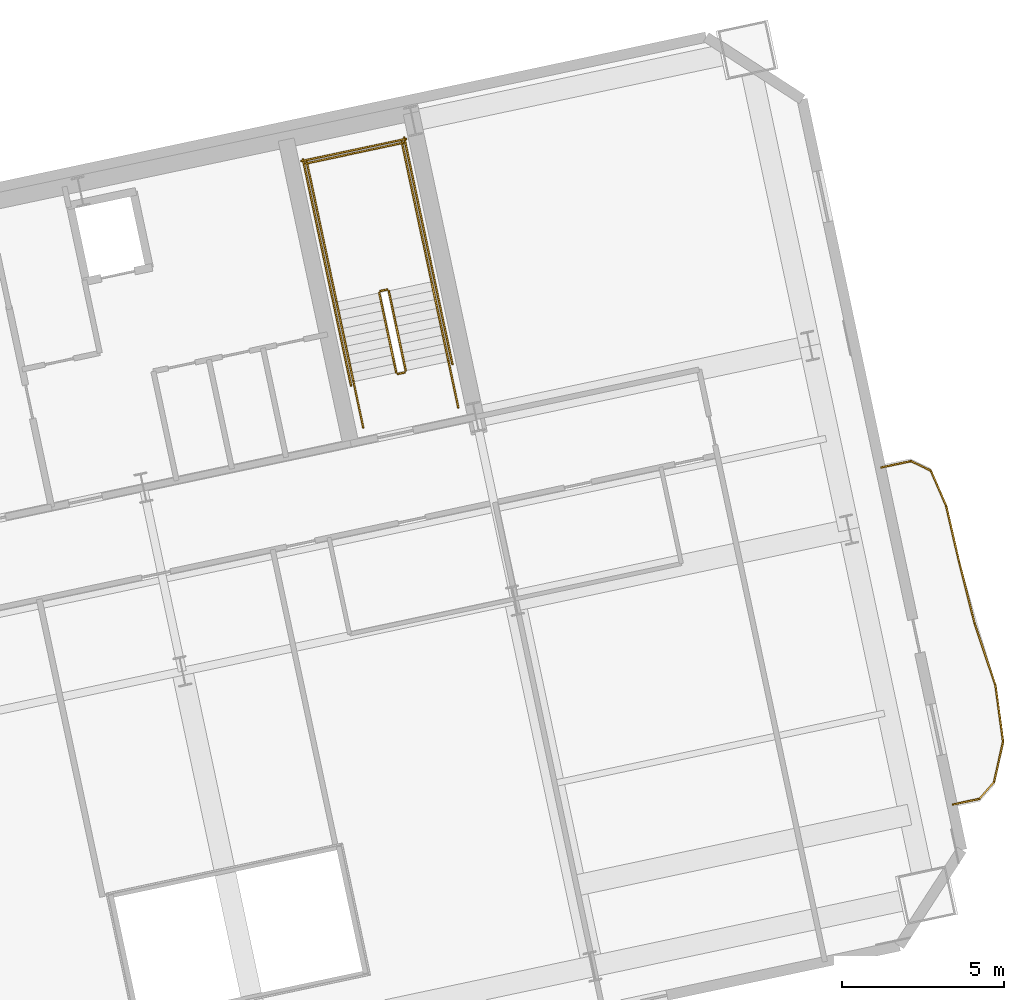
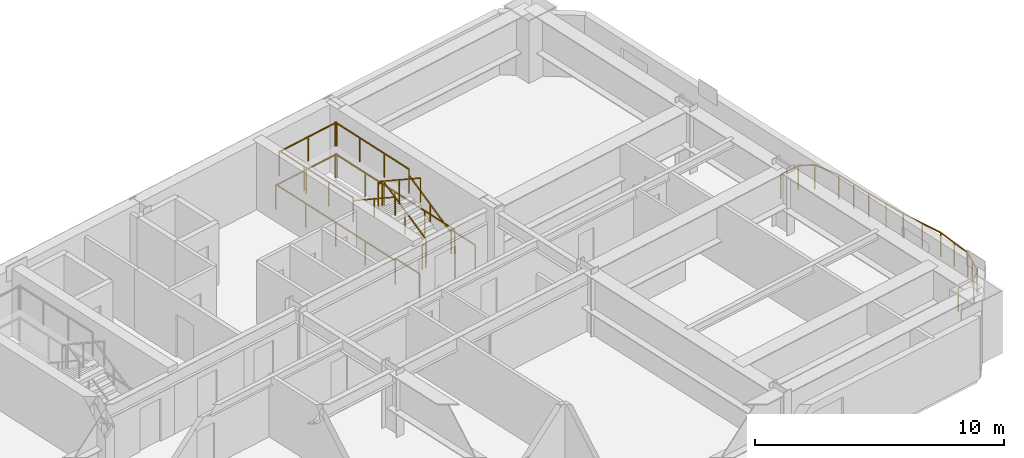
# One storey, part 16 of 16: 24 railings.
"""IFC4 building model written with IfcOpenShell, lengths in metres."""

from ifc_helpers import new_model, si_unit, direction, frame, origin, origin_2d, place, context, subcontext, project, spatial, rectangle, extrude, material, type_object, element, save


model = new_model("IFC4")

# Units and contexts
model_context = context("Model", 3, precision=1e-05, world=origin(), true_north=direction((0.0, 1.0)))
body_context = subcontext(model_context, "Body", "Model", "MODEL_VIEW")
ifc_project = project(units=[si_unit("LENGTHUNIT", "METRE"), si_unit("AREAUNIT", "SQUARE_METRE"), si_unit("VOLUMEUNIT", "CUBIC_METRE"), si_unit("PLANEANGLEUNIT", "RADIAN"), si_unit("MASSUNIT", "GRAM", prefix="KILO")], contexts=[model_context])

# Site, building, storey
site_placement = place(None, origin())
site = spatial("IfcSite", under=ifc_project, at=site_placement, CompositionType="ELEMENT")
building_placement = place(site_placement, origin())
building = spatial("IfcBuilding", under=site, at=building_placement, Name="Haevon Station Towers", CompositionType="ELEMENT")
storey_placement = place(building_placement, frame((0.0, 0.0, 90.0)))
storey = spatial("IfcBuildingStorey", under=building, at=storey_placement, Name="L23", CompositionType="ELEMENT", Elevation=90.0)

# Railings
ifc_material = material(Name="Steel S355", Category="steel")
railing_type_1 = type_object("IfcRailingType", Name="GRD-EXT1200", PredefinedType="GUARDRAIL", material=ifc_material)
railing_1_placement = place(storey_placement, frame((134.02783203125, 29.838134765625, 0.0)))
element("IfcRailing", 1, at=railing_1_placement, inside=storey, type_object=railing_type_1, Name="L23 Perimeter Guardrail 1", PredefinedType="GUARDRAIL", context=body_context, shape_type="SweptSolid", body=[
    extrude(rectangle(XDim=0.048095703125, YDim=0.048095703125, at=origin_2d()), frame((0.0, 0.0, 1.17578125), z_axis=(0.97761867619, 0.210384704682, 0.0), x_axis=(-0.210384704682, 0.97761867619, 0.0)), (0.0, 0.0, 1.0), 0.837890625),
    extrude(rectangle(XDim=0.0419921875, YDim=0.0419921875, at=origin_2d()), origin(), (0.0, 0.0, 1.0), 1.15185546875),
    extrude(rectangle(XDim=0.0419921875, YDim=0.0419921875, at=origin_2d()), frame((0.819091796875, 0.17626953125, 0.0)), (0.0, 0.0, 1.0), 1.15185546875),
])
railing_2_placement = place(storey_placement, frame((134.846923828125, 30.014404296875, 0.0)))
element("IfcRailing", 2, at=railing_2_placement, inside=storey, type_object=railing_type_1, Name="L23 Perimeter Guardrail 2", PredefinedType="GUARDRAIL", context=body_context, shape_type="SweptSolid", body=[
    extrude(rectangle(XDim=0.048095703125, YDim=0.048095703125, at=origin_2d()), frame((0.0, 0.0, 1.17578125), z_axis=(0.660260108832, 0.751037008865, 0.0), x_axis=(-0.751037008865, 0.660260108832, 0.0)), (0.0, 0.0, 1.0), 0.6884765625),
    extrude(rectangle(XDim=0.0419921875, YDim=0.0419921875, at=origin_2d()), origin(), (0.0, 0.0, 1.0), 1.15185546875),
    extrude(rectangle(XDim=0.0419921875, YDim=0.0419921875, at=origin_2d()), frame((0.45458984375, 0.51708984375, 0.0)), (0.0, 0.0, 1.0), 1.15185546875),
])
railing_3_placement = place(storey_placement, frame((135.301513671875, 30.531494140625, 0.0)))
element("IfcRailing", 3, at=railing_3_placement, inside=storey, type_object=railing_type_1, Name="L23 Perimeter Guardrail 3", PredefinedType="GUARDRAIL", context=body_context, shape_type="SweptSolid", body=[
    extrude(rectangle(XDim=0.048095703125, YDim=0.048095703125, at=origin_2d()), frame((0.0, 0.0, 1.17578125), z_axis=(0.215521594097, 0.976499074489, 0.0), x_axis=(-0.976499074489, 0.215521594097, 0.0)), (0.0, 0.0, 1.0), 1.28466796875),
    extrude(rectangle(XDim=0.0419921875, YDim=0.0419921875, at=origin_2d()), origin(), (0.0, 0.0, 1.0), 1.15185546875),
    extrude(rectangle(XDim=0.0419921875, YDim=0.0419921875, at=origin_2d()), frame((0.138427734375, 0.627197265625, 0.0)), (0.0, 0.0, 1.0), 1.15185546875),
    extrude(rectangle(XDim=0.0419921875, YDim=0.0419921875, at=origin_2d()), frame((0.27685546875, 1.25439453125, 0.0)), (0.0, 0.0, 1.0), 1.15185546875),
])
railing_4_placement = place(storey_placement, frame((135.578369140625, 31.785888671875, 0.0)))
element("IfcRailing", 4, at=railing_4_placement, inside=storey, type_object=railing_type_1, Name="L23 Perimeter Guardrail 4", PredefinedType="GUARDRAIL", context=body_context, shape_type="SweptSolid", body=[
    extrude(rectangle(XDim=0.048095703125, YDim=0.048095703125, at=origin_2d()), frame((0.0, 0.0, 1.17578125), z_axis=(-0.134298751156, 0.990940888973, 0.0), x_axis=(-0.990940888973, -0.134298751156, 0.0)), (0.0, 0.0, 1.0), 1.75244140625),
    extrude(rectangle(XDim=0.0419921875, YDim=0.0419921875, at=origin_2d()), origin(), (0.0, 0.0, 1.0), 1.15185546875),
    extrude(rectangle(XDim=0.0419921875, YDim=0.0419921875, at=origin_2d()), frame((-0.11767578125, 0.8681640625, 0.0)), (0.0, 0.0, 1.0), 1.15185546875),
    extrude(rectangle(XDim=0.0419921875, YDim=0.0419921875, at=origin_2d()), frame((-0.2353515625, 1.736572265625, 0.0)), (0.0, 0.0, 1.0), 1.15185546875),
])
railing_5_placement = place(storey_placement, frame((135.343017578125, 33.5224609375, 0.0)))
element("IfcRailing", 5, at=railing_5_placement, inside=storey, type_object=railing_type_1, Name="L23 Perimeter Guardrail 5", PredefinedType="GUARDRAIL", context=body_context, shape_type="SweptSolid", body=[
    extrude(rectangle(XDim=0.048095703125, YDim=0.048095703125, at=origin_2d()), frame((0.0, 0.0, 1.17578125), z_axis=(-0.319002464104, 0.947753885719, 0.0), x_axis=(-0.947753885719, -0.319002464104, 0.0)), (0.0, 0.0, 1.0), 2.005126953125),
    extrude(rectangle(XDim=0.0419921875, YDim=0.0419921875, at=origin_2d()), origin(), (0.0, 0.0, 1.0), 1.15185546875),
    extrude(rectangle(XDim=0.0419921875, YDim=0.0419921875, at=origin_2d()), frame((-0.31982421875, 0.9501953125, 0.0)), (0.0, 0.0, 1.0), 1.15185546875),
    extrude(rectangle(XDim=0.0419921875, YDim=0.0419921875, at=origin_2d()), frame((-0.6396484375, 1.900390625, 0.0)), (0.0, 0.0, 1.0), 1.15185546875),
])
railing_6_placement = place(storey_placement, frame((134.703369140625, 35.4228515625, 0.0)))
element("IfcRailing", 6, at=railing_6_placement, inside=storey, type_object=railing_type_1, Name="L23 Perimeter Guardrail 6", PredefinedType="GUARDRAIL", context=body_context, shape_type="SweptSolid", body=[
    extrude(rectangle(XDim=0.048095703125, YDim=0.048095703125, at=origin_2d()), frame((0.0, 0.0, 1.17578125), z_axis=(-0.244988413864, 0.969526006393, 0.0), x_axis=(-0.969526006393, -0.244988413864, 0.0)), (0.0, 0.0, 1.0), 1.989990234375),
    extrude(rectangle(XDim=0.0419921875, YDim=0.0419921875, at=origin_2d()), origin(), (0.0, 0.0, 1.0), 1.15185546875),
    extrude(rectangle(XDim=0.0419921875, YDim=0.0419921875, at=origin_2d()), frame((-0.24365234375, 0.96484375, 0.0)), (0.0, 0.0, 1.0), 1.15185546875),
    extrude(rectangle(XDim=0.0419921875, YDim=0.0419921875, at=origin_2d()), frame((-0.487548828125, 1.929443359375, 0.0)), (0.0, 0.0, 1.0), 1.15185546875),
])
railing_7_placement = place(storey_placement, frame((134.2158203125, 37.352294921875, 0.0)))
element("IfcRailing", 7, at=railing_7_placement, inside=storey, type_object=railing_type_1, Name="L23 Perimeter Guardrail 7", PredefinedType="GUARDRAIL", context=body_context, shape_type="SweptSolid", body=[
    extrude(rectangle(XDim=0.048095703125, YDim=0.048095703125, at=origin_2d()), frame((0.0, 0.0, 1.17578125), z_axis=(-0.225103963222, 0.974334750351, 0.0), x_axis=(-0.974334750351, -0.225103963222, 0.0)), (0.0, 0.0, 1.0), 1.75048828125),
    extrude(rectangle(XDim=0.0419921875, YDim=0.0419921875, at=origin_2d()), origin(), (0.0, 0.0, 1.0), 1.15185546875),
    extrude(rectangle(XDim=0.0419921875, YDim=0.0419921875, at=origin_2d()), frame((-0.197021484375, 0.852783203125, 0.0)), (0.0, 0.0, 1.0), 1.15185546875),
    extrude(rectangle(XDim=0.0419921875, YDim=0.0419921875, at=origin_2d()), frame((-0.39404296875, 1.70556640625, 0.0)), (0.0, 0.0, 1.0), 1.15185546875),
])
railing_8_placement = place(storey_placement, frame((133.82177734375, 39.057861328125, 0.0)))
element("IfcRailing", 8, at=railing_8_placement, inside=storey, type_object=railing_type_1, Name="L23 Perimeter Guardrail 8", PredefinedType="GUARDRAIL", context=body_context, shape_type="SweptSolid", body=[
    extrude(rectangle(XDim=0.048095703125, YDim=0.048095703125, at=origin_2d()), frame((0.0, 0.0, 1.17578125), z_axis=(-0.399241823093, 0.916845661327, 0.0), x_axis=(-0.916845661327, -0.399241823093, 0.0)), (0.0, 0.0, 1.0), 1.1943359375),
    extrude(rectangle(XDim=0.0419921875, YDim=0.0419921875, at=origin_2d()), origin(), (0.0, 0.0, 1.0), 1.15185546875),
    extrude(rectangle(XDim=0.0419921875, YDim=0.0419921875, at=origin_2d()), frame((-0.476806640625, 1.094970703125, 0.0)), (0.0, 0.0, 1.0), 1.15185546875),
])
railing_9_placement = place(storey_placement, frame((133.344970703125, 40.15283203125, 0.0)))
element("IfcRailing", 9, at=railing_9_placement, inside=storey, type_object=railing_type_1, Name="L23 Perimeter Guardrail 9", PredefinedType="GUARDRAIL", context=body_context, shape_type="SweptSolid", body=[
    extrude(rectangle(XDim=0.048095703125, YDim=0.048095703125, at=origin_2d()), frame((0.0, 0.0, 1.17578125), z_axis=(-0.901353185294, 0.433084790036, 0.0), x_axis=(-0.433084790036, -0.901353185294, 0.0)), (0.0, 0.0, 1.0), 0.673095703125),
    extrude(rectangle(XDim=0.0419921875, YDim=0.0419921875, at=origin_2d()), origin(), (0.0, 0.0, 1.0), 1.15185546875),
    extrude(rectangle(XDim=0.0419921875, YDim=0.0419921875, at=origin_2d()), frame((-0.606689453125, 0.29150390625, 0.0)), (0.0, 0.0, 1.0), 1.15185546875),
])
railing_10_placement = place(storey_placement, frame((132.73828125, 40.4443359375, 0.0)))
element("IfcRailing", 10, at=railing_10_placement, inside=storey, type_object=railing_type_1, Name="L23 Perimeter Guardrail 10", PredefinedType="GUARDRAIL", context=body_context, shape_type="SweptSolid", body=[
    extrude(rectangle(XDim=0.048095703125, YDim=0.048095703125, at=origin_2d()), frame((0.0, 0.0, 1.17578125), z_axis=(-0.978571736022, -0.205906186062, 0.0), x_axis=(0.205906186062, -0.978571736022, 0.0)), (0.0, 0.0, 1.0), 0.94384765625),
    extrude(rectangle(XDim=0.0419921875, YDim=0.0419921875, at=origin_2d()), origin(), (0.0, 0.0, 1.0), 1.15185546875),
    extrude(rectangle(XDim=0.0419921875, YDim=0.0419921875, at=origin_2d()), frame((-0.923583984375, -0.1943359375, 0.0)), (0.0, 0.0, 1.0), 1.15185546875),
])
railing_type_2 = type_object("IfcRailingType", Name="GRD-STR1200", PredefinedType="GUARDRAIL", material=ifc_material)
railing_11_placement = place(storey_placement, frame((117.128662109375, 43.23974609375, 0.1650390625)))
element("IfcRailing", 11, at=railing_11_placement, inside=storey, type_object=railing_type_2, Name="L23 ST4 Stair Guard 1", PredefinedType="GUARDRAIL", context=body_context, shape_type="SweptSolid", body=[
    extrude(rectangle(XDim=0.048095703125, YDim=0.048095703125, at=origin_2d()), frame((0.0, 0.0, 1.17578125), z_axis=(-0.179128856099, 0.842723639875, 0.507670877349), x_axis=(-0.978147030254, -0.207914374695, 0.0)), (0.0, 0.0, 1.0), 2.9248046875),
    extrude(rectangle(XDim=0.0419921875, YDim=0.0419921875, at=origin_2d()), origin(), (0.0, 0.0, 1.0), 1.15185546875),
    extrude(rectangle(XDim=0.0419921875, YDim=0.0419921875, at=origin_2d()), frame((-0.261962890625, 1.232421875, 0.742431640625)), (0.0, 0.0, 1.0), 1.15185546875),
    extrude(rectangle(XDim=0.0419921875, YDim=0.0419921875, at=origin_2d()), frame((-0.52392578125, 2.46484375, 1.48486328125)), (0.0, 0.0, 1.0), 1.15185546875),
])
railing_12_placement = place(storey_placement, frame((116.54541015625, 45.7431640625, 1.64990234375)))
element("IfcRailing", 12, at=railing_12_placement, inside=storey, type_object=railing_type_2, Name="L23 ST4 Stair Guard 2", PredefinedType="GUARDRAIL", context=body_context, shape_type="SweptSolid", body=[
    extrude(rectangle(XDim=0.048095703125, YDim=0.048095703125, at=origin_2d()), frame((0.0, 0.0, 1.17578125), z_axis=(-0.97826412705, -0.207362720198, 0.0), x_axis=(0.207362720198, -0.97826412705, 0.0)), (0.0, 0.0, 1.0), 0.2001953125),
    extrude(rectangle(XDim=0.0419921875, YDim=0.0419921875, at=origin_2d()), origin(), (0.0, 0.0, 1.0), 1.15185546875),
    extrude(rectangle(XDim=0.0419921875, YDim=0.0419921875, at=origin_2d()), frame((-0.19580078125, -0.04150390625, 0.0)), (0.0, 0.0, 1.0), 1.15185546875),
])
railing_13_placement = place(storey_placement, frame((117.925048828125, 45.9853515625, 1.64990234375)))
element("IfcRailing", 13, at=railing_13_placement, inside=storey, type_object=railing_type_2, Name="L23 ST4 Stair Guard 3", PredefinedType="GUARDRAIL", context=body_context, shape_type="SweptSolid", body=[
    extrude(rectangle(XDim=0.048095703125, YDim=0.048095703125, at=origin_2d()), frame((0.0, 0.0, 1.17578125), z_axis=(-0.207876551949, 0.978155069071, 0.0), x_axis=(-0.978155069071, -0.207876551949, 0.0)), (0.0, 0.0, 1.0), 4.429931640625),
    extrude(rectangle(XDim=0.0419921875, YDim=0.0419921875, at=origin_2d()), origin(), (0.0, 0.0, 1.0), 1.15185546875),
    extrude(rectangle(XDim=0.0419921875, YDim=0.0419921875, at=origin_2d()), frame((-0.306884765625, 1.4443359375, 0.0)), (0.0, 0.0, 1.0), 1.15185546875),
    extrude(rectangle(XDim=0.0419921875, YDim=0.0419921875, at=origin_2d()), frame((-0.614013671875, 2.888916015625, 0.0)), (0.0, 0.0, 1.0), 1.15185546875),
    extrude(rectangle(XDim=0.0419921875, YDim=0.0419921875, at=origin_2d()), frame((-0.9208984375, 4.333251953125, 0.0)), (0.0, 0.0, 1.0), 1.15185546875),
])
railing_14_placement = place(storey_placement, frame((114.99072265625, 45.361572265625, 1.64990234375)))
element("IfcRailing", 14, at=railing_14_placement, inside=storey, type_object=railing_type_2, Name="L23 ST4 Stair Guard 4", PredefinedType="GUARDRAIL", context=body_context, shape_type="SweptSolid", body=[
    extrude(rectangle(XDim=0.048095703125, YDim=0.048095703125, at=origin_2d()), frame((0.0, 0.0, 1.17578125), z_axis=(-0.207929280007, 0.978143861871, 0.0), x_axis=(-0.978143861871, -0.207929280007, 0.0)), (0.0, 0.0, 1.0), 4.43017578125),
    extrude(rectangle(XDim=0.0419921875, YDim=0.0419921875, at=origin_2d()), origin(), (0.0, 0.0, 1.0), 1.15185546875),
    extrude(rectangle(XDim=0.0419921875, YDim=0.0419921875, at=origin_2d()), frame((-0.30712890625, 1.4443359375, 0.0)), (0.0, 0.0, 1.0), 1.15185546875),
    extrude(rectangle(XDim=0.0419921875, YDim=0.0419921875, at=origin_2d()), frame((-0.614013671875, 2.888916015625, 0.0)), (0.0, 0.0, 1.0), 1.15185546875),
    extrude(rectangle(XDim=0.0419921875, YDim=0.0419921875, at=origin_2d()), frame((-0.921142578125, 4.333251953125, 0.0)), (0.0, 0.0, 1.0), 1.15185546875),
])
railing_15_placement = place(storey_placement, frame((117.0634765625, 50.280029296875, 1.64990234375)))
element("IfcRailing", 15, at=railing_15_placement, inside=storey, type_object=railing_type_2, Name="L23 ST4 Stair Guard 5", PredefinedType="GUARDRAIL", context=body_context, shape_type="SweptSolid", body=[
    extrude(rectangle(XDim=0.048095703125, YDim=0.048095703125, at=origin_2d()), frame((0.0, 0.0, 1.17578125), z_axis=(-0.978146839882, -0.207915270313, 0.0), x_axis=(0.207915270313, -0.978146839882, 0.0)), (0.0, 0.0, 1.0), 3.099853515625),
    extrude(rectangle(XDim=0.0419921875, YDim=0.0419921875, at=origin_2d()), origin(), (0.0, 0.0, 1.0), 1.15185546875),
    extrude(rectangle(XDim=0.0419921875, YDim=0.0419921875, at=origin_2d()), frame((-1.51611328125, -0.322265625, 0.0)), (0.0, 0.0, 1.0), 1.15185546875),
    extrude(rectangle(XDim=0.0419921875, YDim=0.0419921875, at=origin_2d()), frame((-3.0322265625, -0.64453125, 0.0)), (0.0, 0.0, 1.0), 1.15185546875),
])
railing_16_placement = place(storey_placement, frame((116.311279296875, 45.642333984375, 1.81494140625)))
element("IfcRailing", 16, at=railing_16_placement, inside=storey, type_object=railing_type_2, Name="L23 ST4 Stair Guard 6", PredefinedType="GUARDRAIL", context=body_context, shape_type="SweptSolid", body=[
    extrude(rectangle(XDim=0.048095703125, YDim=0.048095703125, at=origin_2d()), frame((0.0, 0.0, 1.17578125), z_axis=(0.179108667068, -0.842712120868, 0.50769712105), x_axis=(0.978151217824, 0.207894673017, 0.0)), (0.0, 0.0, 1.0), 2.92529296875),
    extrude(rectangle(XDim=0.0419921875, YDim=0.0419921875, at=origin_2d()), origin(), (0.0, 0.0, 1.0), 1.15185546875),
    extrude(rectangle(XDim=0.0419921875, YDim=0.0419921875, at=origin_2d()), frame((0.261962890625, -1.232421875, 0.74267578125)), (0.0, 0.0, 1.0), 1.15185546875),
    extrude(rectangle(XDim=0.0419921875, YDim=0.0419921875, at=origin_2d()), frame((0.52392578125, -2.465087890625, 1.485107421875)), (0.0, 0.0, 1.0), 1.15185546875),
])
railing_17_placement = place(storey_placement, frame((117.090087890625, 43.180419921875, 0.0)))
element("IfcRailing", 17, at=railing_17_placement, inside=storey, type_object=railing_type_2, Name="L23 ST4 Stair Guard 7", PredefinedType="GUARDRAIL", context=body_context, shape_type="SweptSolid", body=[
    extrude(rectangle(XDim=0.048095703125, YDim=0.048095703125, at=origin_2d()), frame((0.0, 0.0, 1.17578125), z_axis=(-0.978211583308, -0.207610448392, 0.0), x_axis=(0.207610448392, -0.978211583308, 0.0)), (0.0, 0.0, 1.0), 0.199951171875),
    extrude(rectangle(XDim=0.0419921875, YDim=0.0419921875, at=origin_2d()), origin(), (0.0, 0.0, 1.0), 1.15185546875),
    extrude(rectangle(XDim=0.0419921875, YDim=0.0419921875, at=origin_2d()), frame((-0.195556640625, -0.04150390625, 0.0)), (0.0, 0.0, 1.0), 1.15185546875),
])
for number, where, name in (
    (18, (118.75048828125, 42.10205078125, 0.0), "L23 ST4 Stair Guard 8"),
    (19, (115.816162109375, 41.478271484375, 0.0), "L23 ST4 Stair Guard 9"),
):
    element("IfcRailing", number, at=place(storey_placement, frame(where)), inside=storey, type_object=railing_type_2, Name=name, PredefinedType="GUARDRAIL", context=body_context, shape_type="SweptSolid", body=[
        extrude(rectangle(XDim=0.048095703125, YDim=0.048095703125, at=origin_2d()), frame((0.0, 0.0, 1.17578125), z_axis=(-0.207919161079, 0.978146012851, 0.0), x_axis=(-0.978146012851, -0.207919161079, 0.0)), (0.0, 0.0, 1.0), 1.4501953125),
        extrude(rectangle(XDim=0.0419921875, YDim=0.0419921875, at=origin_2d()), origin(), (0.0, 0.0, 1.0), 1.15185546875),
        extrude(rectangle(XDim=0.0419921875, YDim=0.0419921875, at=origin_2d()), frame((-0.301513671875, 1.41845703125, 0.0)), (0.0, 0.0, 1.0), 1.15185546875),
    ])
railing_18_placement = place(storey_placement, frame((118.567626953125, 43.443359375, 0.0)))
element("IfcRailing", 20, at=railing_18_placement, inside=storey, type_object=railing_type_2, Name="L23 ST4 Stair Guard 10", PredefinedType="GUARDRAIL", context=body_context, shape_type="SweptSolid", body=[
    extrude(rectangle(XDim=0.048095703125, YDim=0.048095703125, at=origin_2d()), frame((0.0, 0.0, 1.17578125), z_axis=(-0.207908168386, 0.978148349443, 0.0), x_axis=(-0.978148349443, -0.207908168386, 0.0)), (0.0, 0.0, 1.0), 7.150146484375),
    extrude(rectangle(XDim=0.0419921875, YDim=0.0419921875, at=origin_2d()), origin(), (0.0, 0.0, 1.0), 1.15185546875),
    extrude(rectangle(XDim=0.0419921875, YDim=0.0419921875, at=origin_2d()), frame((-0.37158203125, 1.74853515625, 0.0)), (0.0, 0.0, 1.0), 1.15185546875),
    extrude(rectangle(XDim=0.0419921875, YDim=0.0419921875, at=origin_2d()), frame((-0.7431640625, 3.4970703125, 0.0)), (0.0, 0.0, 1.0), 1.15185546875),
    extrude(rectangle(XDim=0.0419921875, YDim=0.0419921875, at=origin_2d()), frame((-1.114990234375, 5.245361328125, 0.0)), (0.0, 0.0, 1.0), 1.15185546875),
    extrude(rectangle(XDim=0.0419921875, YDim=0.0419921875, at=origin_2d()), frame((-1.486572265625, 6.993896484375, 0.0)), (0.0, 0.0, 1.0), 1.15185546875),
])
railing_19_placement = place(storey_placement, frame((115.4375, 42.778076171875, 0.0)))
element("IfcRailing", 21, at=railing_19_placement, inside=storey, type_object=railing_type_2, Name="L23 ST4 Stair Guard 11", PredefinedType="GUARDRAIL", context=body_context, shape_type="SweptSolid", body=[
    extrude(rectangle(XDim=0.048095703125, YDim=0.048095703125, at=origin_2d()), frame((0.0, 0.0, 1.17578125), z_axis=(-0.207882442208, 0.978153817261, 0.0), x_axis=(-0.978153817261, -0.207882442208, 0.0)), (0.0, 0.0, 1.0), 7.14990234375),
    extrude(rectangle(XDim=0.0419921875, YDim=0.0419921875, at=origin_2d()), origin(), (0.0, 0.0, 1.0), 1.15185546875),
    extrude(rectangle(XDim=0.0419921875, YDim=0.0419921875, at=origin_2d()), frame((-0.37158203125, 1.74853515625, 0.0)), (0.0, 0.0, 1.0), 1.15185546875),
    extrude(rectangle(XDim=0.0419921875, YDim=0.0419921875, at=origin_2d()), frame((-0.7431640625, 3.496826171875, 0.0)), (0.0, 0.0, 1.0), 1.15185546875),
    extrude(rectangle(XDim=0.0419921875, YDim=0.0419921875, at=origin_2d()), frame((-1.11474609375, 5.2451171875, 0.0)), (0.0, 0.0, 1.0), 1.15185546875),
    extrude(rectangle(XDim=0.0419921875, YDim=0.0419921875, at=origin_2d()), frame((-1.486328125, 6.99365234375, 0.0)), (0.0, 0.0, 1.0), 1.15185546875),
])
railing_20_placement = place(storey_placement, frame((117.140380859375, 50.398681640625, 0.0)))
element("IfcRailing", 22, at=railing_20_placement, inside=storey, type_object=railing_type_2, Name="L23 ST4 Stair Guard 12", PredefinedType="GUARDRAIL", context=body_context, shape_type="SweptSolid", body=[
    extrude(rectangle(XDim=0.048095703125, YDim=0.048095703125, at=origin_2d()), frame((0.0, 0.0, 1.17578125), z_axis=(-0.978135717418, -0.207967589567, 0.0), x_axis=(0.207967589567, -0.978135717418, 0.0)), (0.0, 0.0, 1.0), 3.300048828125),
    extrude(rectangle(XDim=0.0419921875, YDim=0.0419921875, at=origin_2d()), origin(), (0.0, 0.0, 1.0), 1.15185546875),
    extrude(rectangle(XDim=0.0419921875, YDim=0.0419921875, at=origin_2d()), frame((-1.61376953125, -0.34326171875, 0.0)), (0.0, 0.0, 1.0), 1.15185546875),
    extrude(rectangle(XDim=0.0419921875, YDim=0.0419921875, at=origin_2d()), frame((-3.227783203125, -0.686279296875, 0.0)), (0.0, 0.0, 1.0), 1.15185546875),
])
railing_type_3 = type_object("IfcRailingType", Name="HND-STR900", PredefinedType="HANDRAIL", material=ifc_material)
railing_21_placement = place(storey_placement, frame((118.448974609375, 43.5205078125, 0.1650390625)))
element("IfcRailing", 23, at=railing_21_placement, inside=storey, type_object=railing_type_3, Name="L23 ST4 Stair Handrail 1", PredefinedType="HANDRAIL", context=body_context, shape_type="SweptSolid", body=[
    extrude(rectangle(XDim=0.048095703125, YDim=0.048095703125, at=origin_2d()), frame((0.0, 0.0, 0.8759765625), z_axis=(-0.179128856099, 0.842723639875, 0.507670877349), x_axis=(-0.978147030254, -0.207914374695, 0.0)), (0.0, 0.0, 1.0), 2.9248046875),
    extrude(rectangle(XDim=0.0419921875, YDim=0.0419921875, at=origin_2d()), origin(), (0.0, 0.0, 1.0), 0.851806640625),
    extrude(rectangle(XDim=0.0419921875, YDim=0.0419921875, at=origin_2d()), frame((-0.261962890625, 1.232421875, 0.742431640625)), (0.0, 0.0, 1.0), 0.851806640625),
    extrude(rectangle(XDim=0.0419921875, YDim=0.0419921875, at=origin_2d()), frame((-0.52392578125, 2.46484375, 1.48486328125)), (0.0, 0.0, 1.0), 0.851806640625),
])
railing_22_placement = place(storey_placement, frame((114.99072265625, 45.361572265625, 1.81494140625)))
element("IfcRailing", 24, at=railing_22_placement, inside=storey, type_object=railing_type_3, Name="L23 ST4 Stair Handrail 2", PredefinedType="HANDRAIL", context=body_context, shape_type="SweptSolid", body=[
    extrude(rectangle(XDim=0.048095703125, YDim=0.048095703125, at=origin_2d()), frame((0.0, 0.0, 0.8759765625), z_axis=(0.179121265225, -0.842687928106, 0.507732831485), x_axis=(0.978147030254, 0.207914374695, 0.0)), (0.0, 0.0, 1.0), 2.925048828125),
    extrude(rectangle(XDim=0.0419921875, YDim=0.0419921875, at=origin_2d()), origin(), (0.0, 0.0, 1.0), 0.851806640625),
    extrude(rectangle(XDim=0.0419921875, YDim=0.0419921875, at=origin_2d()), frame((0.261962890625, -1.232421875, 0.74267578125)), (0.0, 0.0, 1.0), 0.851806640625),
    extrude(rectangle(XDim=0.0419921875, YDim=0.0419921875, at=origin_2d()), frame((0.52392578125, -2.46484375, 1.485107421875)), (0.0, 0.0, 1.0), 0.851806640625),
])

save(model, "model.ifc")
